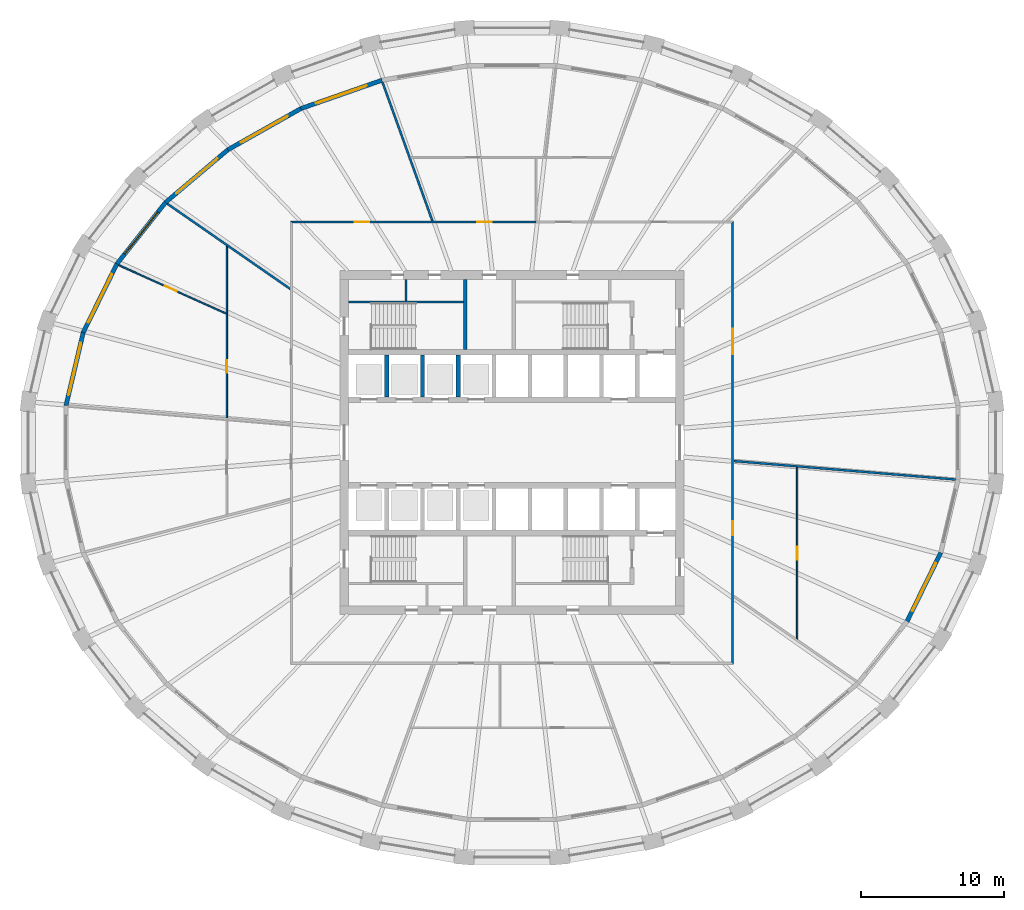
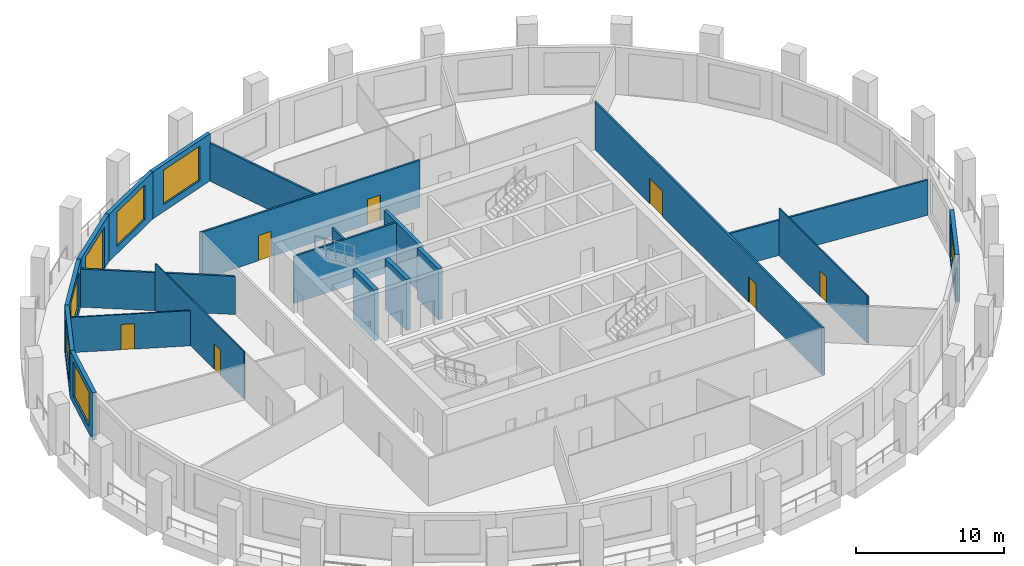
# One storey, part 5 of 10: 21 walls, 8 doors, 6 windows, 14 openings.
"""IFC4 building model written with IfcOpenShell, lengths in metres."""

import ifcopenshell
import ifcopenshell.guid

model = None  # the IFC model being written
_history = None  # IfcOwnerHistory: only IFC2X3 demands one
_inside = {}  # id of a spatial element -> (the spatial element, [elements in it])
_under = {}  # id of a project, library or spatial element -> (it, [spatial elements below it])
_declared = {}  # id of a project -> (the project, [libraries it declares])
_typed = {}  # id of a type object -> (the type object, [elements of that type])
_made_of = {}  # id of a material, layer set ... -> (it, [elements and type objects made of it])


def new_model(schema):
    """Start an empty IFC model of exactly this schema.

    Asked for "IFC4X3", IfcOpenShell would pick the latest addendum, in which some entities
    have other attributes; the version numbers below select the first issue.
    IFC2X3 requires an IfcOwnerHistory on every rooted entity: one is made here for all.
    """
    global model, _history
    if schema == "IFC4X3":
        model = ifcopenshell.file(schema_version=(4, 3, 0, 0))
    else:
        model = ifcopenshell.file(schema=schema)
    _inside.clear()
    _under.clear()
    _declared.clear()
    _typed.clear()
    _made_of.clear()
    _history = None
    if model.schema == "IFC2X3":
        org = make("IfcOrganization", Name="unknown")
        user = make(
            "IfcPersonAndOrganization",
            ThePerson=make("IfcPerson", FamilyName="unknown"),
            TheOrganization=org,
        )
        app = make(
            "IfcApplication",
            ApplicationDeveloper=org,
            Version="unknown",
            ApplicationFullName="unknown",
            ApplicationIdentifier="unknown",
        )
        _history = make(
            "IfcOwnerHistory",
            OwningUser=user,
            OwningApplication=app,
            ChangeAction="ADDED",
            CreationDate=0,
        )
    return model


def make(cls, **values):
    """One entity of the class cls with the attributes given. An attribute that is None is left unset."""
    return model.create_entity(
        cls, **{name: value for name, value in values.items() if value is not None}
    )


def rooted(cls, **values):
    """An entity with a GlobalId (a new one), such as an element, a storey or a relation."""
    return make(cls, GlobalId=ifcopenshell.guid.new(), OwnerHistory=_history, **values)


def si_unit(unit_type, name, prefix=None):
    """IfcSIUnit, for example si_unit("LENGTHUNIT", "METRE", prefix="MILLI")."""
    return make("IfcSIUnit", UnitType=unit_type, Prefix=prefix, Name=name)


def assignment(units):
    """IfcUnitAssignment: the units of a project."""
    return None if units is None else make("IfcUnitAssignment", Units=units)


def point(xyz):
    """IfcCartesianPoint."""
    return None if xyz is None else make("IfcCartesianPoint", Coordinates=xyz)


def direction(xyz):
    """IfcDirection."""
    return None if xyz is None else make("IfcDirection", DirectionRatios=xyz)


def frame(location, z_axis=None, x_axis=None):
    """IfcAxis2Placement3D, a coordinate frame: its origin and axes. An axis left out is left unset."""
    return make(
        "IfcAxis2Placement3D",
        Location=point(location),
        Axis=direction(z_axis),
        RefDirection=direction(x_axis),
    )


def frame_2d(location, x_axis=None):
    """IfcAxis2Placement2D, a coordinate frame in the plane: its origin and x axis."""
    return make(
        "IfcAxis2Placement2D", Location=point(location), RefDirection=direction(x_axis)
    )


def origin():
    """The frame at (0, 0, 0) with its axes left unset."""
    return frame((0.0, 0.0, 0.0))


def place(relative_to, where):
    """IfcLocalPlacement: puts the frame where relative to a parent placement (None: the world)."""
    return make(
        "IfcLocalPlacement", PlacementRelTo=relative_to, RelativePlacement=where
    )


def context(
    kind, dimensions, precision=None, world=None, true_north=None, identifier=None
):
    """IfcGeometricRepresentationContext, for example the 3D "Model" context."""
    return make(
        "IfcGeometricRepresentationContext",
        ContextIdentifier=identifier,
        ContextType=kind,
        CoordinateSpaceDimension=dimensions,
        Precision=precision,
        WorldCoordinateSystem=world,
        TrueNorth=true_north,
    )


def subcontext(parent, identifier, kind, view, scale=None):
    """IfcGeometricRepresentationSubContext, for example "Body" below "Model"."""
    return make(
        "IfcGeometricRepresentationSubContext",
        ContextIdentifier=identifier,
        ContextType=kind,
        ParentContext=parent,
        TargetScale=scale,
        TargetView=view,
    )


def project(units=None, contexts=None):
    """IfcProject with its units and contexts."""
    return rooted(
        "IfcProject",
        Name="project",
        RepresentationContexts=contexts,
        UnitsInContext=assignment(units),
    )


def spatial(cls, under=None, at=None, **own):
    """A site, building, storey or space (cls), placed at a placement, below another one or the project."""
    s = rooted(cls, ObjectPlacement=at, **own)
    if under is not None:
        _under.setdefault(under.id(), (under, []))[1].append(s)
    return s


def polyline(points):
    """IfcPolyline through the points."""
    return make("IfcPolyline", Points=[point(p) for p in points])


def profile(cls, at=None, kind="AREA", **sizes):
    """A parametric profile (cls). Its sizes go by their IFC names, for example OverallWidth=200.0."""
    return make(cls, ProfileType=kind, Position=at, **sizes)


def rectangle(**sizes):
    """IfcRectangleProfileDef."""
    return profile("IfcRectangleProfileDef", **sizes)


def outline(outer, holes=None, kind="AREA"):
    """IfcArbitraryClosedProfileDef: a profile drawn as a closed curve; with holes, ...WithVoids."""
    if holes is None:
        return make("IfcArbitraryClosedProfileDef", ProfileType=kind, OuterCurve=outer)
    return make(
        "IfcArbitraryProfileDefWithVoids",
        ProfileType=kind,
        OuterCurve=outer,
        InnerCurves=holes,
    )


def extrude(swept, where, along, depth):
    """IfcExtrudedAreaSolid: the profile swept, set in the frame where, extruded along a direction by depth."""
    return make(
        "IfcExtrudedAreaSolid",
        SweptArea=swept,
        Position=where,
        ExtrudedDirection=direction(along),
        Depth=depth,
    )


def shape(context_of_items, identifier, shape_type, items):
    """IfcShapeRepresentation: the items that make up one representation, for example the "Body"."""
    return make(
        "IfcShapeRepresentation",
        ContextOfItems=context_of_items,
        RepresentationIdentifier=identifier,
        RepresentationType=shape_type,
        Items=items,
    )


def material(Name=None, Category=None):
    """IfcMaterial."""
    return make("IfcMaterial", Name=Name, Category=Category)


def layer(
    of_material, thickness, ventilated=None, Name=None, Category=None, Priority=None
):
    """IfcMaterialLayer: one layer of a wall or slab, of a material (None: an air gap)."""
    return make(
        "IfcMaterialLayer",
        Material=of_material,
        LayerThickness=thickness,
        IsVentilated=ventilated,
        Name=Name,
        Category=Category,
        Priority=Priority,
    )


def layer_set(layers, Name=None):
    """IfcMaterialLayerSet."""
    return make("IfcMaterialLayerSet", MaterialLayers=layers, LayerSetName=Name)


def made_of(thing, what):
    """Note that an element or type object is made of a material, layer set ...; save() writes the relation."""
    if what is not None:
        _made_of.setdefault(what.id(), (what, []))[1].append(thing)
    return thing


def type_object(cls, material=None, **own):
    """A type object (cls), such as IfcWallType, which elements share."""
    return made_of(rooted(cls, **own), material)


def element(
    cls,
    number,
    at=None,
    inside=None,
    cuts=None,
    type_object=None,
    material=None,
    context=None,
    identifier="Body",
    shape_type=None,
    held_by="IfcProductDefinitionShape",
    body=None,
    shapes=None,
    **own,
):
    """One element of the class cls, such as IfcWall. Its Tag is "e" and its number.

    at: its placement. inside: the storey or other place that contains it. cuts: it is an
    opening in that element (IfcRelVoidsElement). A single representation is given by context,
    identifier, shape_type and body (its items); several are given by shapes. held_by: the class
    of the entity that holds the representations. save() writes the other relations.
    """
    e = rooted(cls, Tag="e%d" % number, ObjectPlacement=at, **own)
    if body is not None:
        shapes = [shape(context, identifier, shape_type, body)]
    if shapes is not None:
        e.Representation = make(held_by, Representations=shapes)
    if inside is not None:
        _inside.setdefault(inside.id(), (inside, []))[1].append(e)
    if cuts is not None:
        rooted(
            "IfcRelVoidsElement", RelatingBuildingElement=cuts, RelatedOpeningElement=e
        )
    if type_object is not None:
        _typed.setdefault(type_object.id(), (type_object, []))[1].append(e)
    return made_of(e, material)


def fill(opening, filler):
    """IfcRelFillsElement: the door or window that sits in an opening."""
    return rooted(
        "IfcRelFillsElement",
        RelatingOpeningElement=opening,
        RelatedBuildingElement=filler,
    )


def aggregate(whole, parts):
    """IfcRelAggregates: a whole, such as a stair, and the parts it consists of."""
    return rooted("IfcRelAggregates", RelatingObject=whole, RelatedObjects=parts)


def save(model, path):
    """Write the relations noted so far, then the file.

    IfcRelAggregates (storeys below a building ...), IfcRelContainedInSpatialStructure (elements
    in a storey), IfcRelDefinesByType, IfcRelAssociatesMaterial and IfcRelDeclares: one each for
    every whole, place, type object, material and project.
    """
    for whole, parts in _under.values():
        aggregate(whole, parts)
    for where, things in _inside.values():
        rooted(
            "IfcRelContainedInSpatialStructure",
            RelatedElements=things,
            RelatingStructure=where,
        )
    for kind, things in _typed.values():
        rooted("IfcRelDefinesByType", RelatedObjects=things, RelatingType=kind)
    for what, things in _made_of.values():
        rooted("IfcRelAssociatesMaterial", RelatedObjects=things, RelatingMaterial=what)
    for by, libraries in _declared.values():
        rooted("IfcRelDeclares", RelatingContext=by, RelatedDefinitions=libraries)
    model.write(path)


model = new_model("IFC4")

# Units and contexts
model_context = context("Model", 3, precision=1e-05, world=origin(), true_north=direction((0.0, 1.0)))
body_context = subcontext(model_context, "Body", "Model", "MODEL_VIEW")
ifc_project = project(units=[si_unit("LENGTHUNIT", "METRE"), si_unit("AREAUNIT", "SQUARE_METRE"), si_unit("VOLUMEUNIT", "CUBIC_METRE"), si_unit("PLANEANGLEUNIT", "RADIAN"), si_unit("MASSUNIT", "GRAM", prefix="KILO")], contexts=[model_context])

# Site, building, storey
site_placement = place(None, origin())
site = spatial("IfcSite", under=ifc_project, at=site_placement, CompositionType="ELEMENT")
building_placement = place(site_placement, origin())
building = spatial("IfcBuilding", under=site, at=building_placement, Name="Halqa Exchange Tower", CompositionType="ELEMENT")
storey_placement = place(building_placement, frame((0.0, 0.0, 159.10009765625)))
storey = spatial("IfcBuildingStorey", under=building, at=storey_placement, Name="L36", CompositionType="ELEMENT", Elevation=159.10009765625)

# Wall
ifc_material_1 = material(Name="Fire-rated gypsum board")
ifc_layer_1 = layer(ifc_material_1, 0.14990234375)
ifc_layer_set_1 = layer_set([ifc_layer_1], Name="Fire-rated gypsum board")
wall_type_1 = type_object("IfcWallType", Name="Fire partition EI 60 150", PredefinedType="PARTITIONING", material=ifc_layer_set_1)
wall_1_placement = place(storey_placement, frame((-24.059326171875, 16.673095703125, 0.0), z_axis=(0.0, 0.0, 1.0), x_axis=(0.821818585553, -0.569749254006, 0.0)))
element("IfcWall", 1, at=wall_1_placement, inside=storey, type_object=wall_type_1, Name="L36-PWL-003", PredefinedType="PARTITIONING", context=body_context, shape_type="SweptSolid", body=[
    extrude(outline(polyline([(0.0, -0.074951171875), (1.723876953125, -0.074951171875), (3.44775390625, -0.074951171875), (5.171630859375, -0.074951171875), (5.173095703125, -0.07373046875), (5.173828125, -0.074951171875), (6.9482421875, -0.074951171875), (8.72265625, -0.074951171875), (10.4970703125, -0.074951171875), (10.4970703125, -0.074462890625), (10.3935546875, 0.074951171875), (8.66552734375, 0.074951171875), (6.9375, 0.074951171875), (5.20947265625, 0.074951171875), (3.4814453125, 0.074951171875), (1.75341796875, 0.074951171875), (0.025146484375, 0.074951171875), (0.00439453125, -0.002197265625), (0.0, -0.071533203125), (0.0, -0.074951171875)])), origin(), (0.0, 0.0, 1.0), 3.14697265625),
])

# Wall, openings, doors
wall_2_placement = place(storey_placement, frame((-15.47509765625, 15.39990234375, 0.0), z_axis=(0.0, 0.0, 1.0), x_axis=(1.0, 0.0, 0.0)))
wall_2 = element("IfcWall", 2, at=wall_2_placement, inside=storey, type_object=wall_type_1, Name="L36-PWL-009", PredefinedType="PARTITIONING", context=body_context, shape_type="SweptSolid", body=[
    extrude(outline(polyline([(17.155029296875, 0.074951171875), (15.2490234375, 0.074951171875), (13.3427734375, 0.074951171875), (11.436767578125, 0.074951171875), (9.53076171875, 0.074951171875), (7.62451171875, 0.074951171875), (5.718505859375, 0.074951171875), (3.8125, 0.074951171875), (1.90625, 0.074951171875), (0.000244140625, 0.074951171875), (0.150146484375, -0.074951171875), (2.03955078125, -0.074951171875), (3.928955078125, -0.074951171875), (5.818359375, -0.074951171875), (7.707763671875, -0.074951171875), (9.597412109375, -0.074951171875), (11.48681640625, -0.074951171875), (13.376220703125, -0.074951171875), (15.265625, -0.074951171875), (17.155029296875, -0.074951171875), (17.155029296875, 0.074951171875)])), origin(), (0.0, 0.0, 1.0), 3.89990234375),
])
opening_1_placement = place(wall_2_placement, frame((13.050048828125, 0.0, 0.0)))
opening_1 = element("IfcOpeningElement", 3, at=opening_1_placement, cuts=wall_2, Name="Opening 11-02", PredefinedType="OPENING", context=body_context, shape_type="SweptSolid", body=[
    extrude(rectangle(XDim=1.0, YDim=2.10009765625, at=frame_2d((0.5, 1.050048828125))), frame((0.0, 0.0869140625, 0.0), z_axis=(0.0, -1.0, 0.0), x_axis=(1.0, 0.0, 0.0)), (0.0, 0.0, 1.0), 0.173828125),
])
opening_2_placement = place(wall_2_placement, frame((4.510009765625, 0.0, 0.0)))
opening_2 = element("IfcOpeningElement", 4, at=opening_2_placement, cuts=wall_2, Name="Opening 11-03", PredefinedType="OPENING", context=body_context, shape_type="SweptSolid", body=[
    extrude(rectangle(XDim=1.0, YDim=2.10009765625, at=frame_2d((0.5, 1.050048828125))), frame((0.0, 0.0869140625, 0.0), z_axis=(0.0, -1.0, 0.0), x_axis=(1.0, 0.0, 0.0)), (0.0, 0.0, 1.0), 0.173828125),
])
ifc_material_2 = material(Name="Steel fire door leaf", Category="steel")
door_type_1 = type_object("IfcDoorType", Name="Fire door FD30S 1000 x 2100", OperationType="SINGLE_SWING_LEFT", PredefinedType="DOOR", material=ifc_material_2)
door_1_placement = place(opening_1_placement, origin())
door_1 = element("IfcDoor", 5, at=door_1_placement, inside=storey, type_object=door_type_1, Name="L36-IDR-002", OperationType="SINGLE_SWING_LEFT", OverallHeight=2.10009765625, OverallWidth=1.0, PredefinedType="DOOR", context=body_context, shape_type="SweptSolid", body=[
    extrude(rectangle(XDim=1.0, YDim=2.10009765625, at=frame_2d((0.5, 1.050048828125))), frame((0.0, 0.02490234375, 0.0), z_axis=(0.0, -1.0, 0.0), x_axis=(1.0, 0.0, 0.0)), (0.0, 0.0, 1.0), 0.050048828125),
])
fill(opening_1, door_1)
door_2_placement = place(opening_2_placement, origin())
door_2 = element("IfcDoor", 6, at=door_2_placement, inside=storey, type_object=door_type_1, Name="L36-IDR-003", OperationType="SINGLE_SWING_LEFT", OverallHeight=2.10009765625, OverallWidth=1.0, PredefinedType="DOOR", context=body_context, shape_type="SweptSolid", body=[
    extrude(rectangle(XDim=1.0, YDim=2.10009765625, at=frame_2d((0.5, 1.050048828125))), frame((0.0, 0.02490234375, 0.0), z_axis=(0.0, -1.0, 0.0), x_axis=(1.0, 0.0, 0.0)), (0.0, 0.0, 1.0), 0.050048828125),
])
fill(opening_2, door_2)

# Wall
wall_3_placement = place(storey_placement, frame((-9.036865234375, 25.143310546875, 0.0), z_axis=(0.0, 0.0, 1.0), x_axis=(0.338668278724, -0.940905838533, 0.0)))
element("IfcWall", 7, at=wall_3_placement, inside=storey, type_object=wall_type_1, Name="L36-PWL-011", PredefinedType="PARTITIONING", context=body_context, shape_type="SweptSolid", body=[
    extrude(outline(polyline([(0.0, -0.074951171875), (1.7080078125, -0.074951171875), (3.416259765625, -0.074951171875), (5.124267578125, -0.074951171875), (6.832275390625, -0.074951171875), (8.54052734375, -0.074951171875), (10.24853515625, -0.074951171875), (10.30029296875, 0.068603515625), (10.30029296875, 0.068603515625), (10.30224609375, 0.07421875), (10.30224609375, 0.074951171875), (8.75244140625, 0.074951171875), (7.20263671875, 0.074951171875), (5.65283203125, 0.074951171875), (5.652587890625, 0.074462890625), (5.651123046875, 0.074951171875), (3.77197265625, 0.074951171875), (1.892822265625, 0.074951171875), (0.013671875, 0.074951171875), (0.00048828125, 0.0029296875), (0.0, -0.054443359375), (0.0, -0.074951171875)])), origin(), (0.0, 0.0, 1.0), 3.14697265625),
])

# Wall, openings, doors
wall_4_placement = place(storey_placement, frame((15.39990234375, -15.47509765625, 0.0), z_axis=(0.0, 0.0, 1.0), x_axis=(0.0, 1.0, 0.0)))
wall_4 = element("IfcWall", 8, at=wall_4_placement, inside=storey, type_object=wall_type_1, Name="L36-PWL-022", PredefinedType="PARTITIONING", context=body_context, shape_type="SweptSolid", body=[
    extrude(outline(polyline([(0.000244140625, -0.074951171875), (1.9345703125, -0.074951171875), (3.868896484375, -0.074951171875), (5.80322265625, -0.074951171875), (7.73779296875, -0.074951171875), (9.672119140625, -0.074951171875), (11.6064453125, -0.074951171875), (13.540771484375, -0.074951171875), (15.47509765625, -0.074951171875), (17.409423828125, -0.074951171875), (19.34375, -0.074951171875), (21.278076171875, -0.074951171875), (23.21240234375, -0.074951171875), (25.14697265625, -0.074951171875), (27.081298828125, -0.074951171875), (29.015625, -0.074951171875), (30.949951171875, -0.074951171875), (30.800048828125, 0.074951171875), (28.884521484375, 0.074951171875), (26.96875, 0.074951171875), (25.05322265625, 0.074951171875), (23.1376953125, 0.074951171875), (21.221923828125, 0.074951171875), (19.306396484375, 0.074951171875), (17.390625, 0.074951171875), (15.47509765625, 0.074951171875), (13.5595703125, 0.074951171875), (11.643798828125, 0.074951171875), (9.728271484375, 0.074951171875), (7.8125, 0.074951171875), (5.89697265625, 0.074951171875), (3.9814453125, 0.074951171875), (2.065673828125, 0.074951171875), (0.150146484375, 0.074951171875), (0.000244140625, -0.074951171875)])), origin(), (0.0, 0.0, 1.0), 3.89990234375),
])
opening_3_placement = place(wall_4_placement, frame((9.0, 0.0, 0.0)))
opening_3 = element("IfcOpeningElement", 9, at=opening_3_placement, cuts=wall_4, Name="Opening 11-10", PredefinedType="OPENING", context=body_context, shape_type="SweptSolid", body=[
    extrude(rectangle(XDim=1.0, YDim=2.10009765625, at=frame_2d((0.5, 1.050048828125))), frame((0.0, 0.0869140625, 0.0), z_axis=(0.0, -1.0, 0.0), x_axis=(1.0, 0.0, 0.0)), (0.0, 0.0, 1.0), 0.173828125),
])
opening_4_placement = place(wall_4_placement, frame((21.635009765625, 0.0, 0.0)))
opening_4 = element("IfcOpeningElement", 10, at=opening_4_placement, cuts=wall_4, Name="Opening 11-11", PredefinedType="OPENING", context=body_context, shape_type="SweptSolid", body=[
    extrude(rectangle(XDim=1.800048828125, YDim=2.10009765625, at=frame_2d((0.89990234375, 1.050048828125))), frame((0.0, 0.0869140625, 0.0), z_axis=(0.0, -1.0, 0.0), x_axis=(1.0, 0.0, 0.0)), (0.0, 0.0, 1.0), 0.173828125),
])
door_3_placement = place(opening_3_placement, frame((1.0, 0.0, 0.0), z_axis=(0.0, 0.0, 1.0), x_axis=(-1.0, 0.0, 0.0)))
door_3 = element("IfcDoor", 11, at=door_3_placement, inside=storey, type_object=door_type_1, Name="L36-IDR-010", OperationType="SINGLE_SWING_LEFT", OverallHeight=2.10009765625, OverallWidth=1.0, PredefinedType="DOOR", context=body_context, shape_type="SweptSolid", body=[
    extrude(rectangle(XDim=1.0, YDim=2.10009765625, at=frame_2d((0.5, 1.050048828125))), frame((0.0, 0.02490234375, 0.0), z_axis=(0.0, -1.0, 0.0), x_axis=(1.0, 0.0, 0.0)), (0.0, 0.0, 1.0), 0.050048828125),
])
fill(opening_3, door_3)
door_type_2 = type_object("IfcDoorType", Name="Fire door FD30S double 1800 x 2100", OperationType="DOUBLE_DOOR_SINGLE_SWING", PredefinedType="DOOR", material=ifc_material_2)
door_4_placement = place(opening_4_placement, frame((1.800048828125, 0.0, 0.0), z_axis=(0.0, 0.0, 1.0), x_axis=(-1.0, 0.0, 0.0)))
door_4 = element("IfcDoor", 12, at=door_4_placement, inside=storey, type_object=door_type_2, Name="L36-IDR-011", OperationType="DOUBLE_DOOR_SINGLE_SWING", OverallHeight=2.10009765625, OverallWidth=1.800048828125, PredefinedType="DOOR", context=body_context, shape_type="SweptSolid", body=[
    extrude(rectangle(XDim=1.800048828125, YDim=2.10009765625, at=frame_2d((0.89990234375, 1.050048828125))), frame((0.0, 0.02490234375, 0.0), z_axis=(0.0, -1.0, 0.0), x_axis=(1.0, 0.0, 0.0)), (0.0, 0.0, 1.0), 0.050048828125),
])
fill(opening_4, door_4)

# Wall
wall_5_placement = place(storey_placement, frame((15.46923828125, -1.285888671875, 0.0), z_axis=(0.0, 0.0, 1.0), x_axis=(0.996560145348, -0.082872653534, 0.0)))
element("IfcWall", 13, at=wall_5_placement, inside=storey, type_object=wall_type_1, Name="L36-PWL-024", PredefinedType="PARTITIONING", context=body_context, shape_type="SweptSolid", body=[
    extrude(outline(polyline([(0.011962890625, -0.074951171875), (1.50390625, -0.074951171875), (2.995849609375, -0.074951171875), (4.48779296875, -0.074951171875), (4.50244140625, -0.07373046875), (4.50244140625, -0.074951171875), (6.3427734375, -0.074951171875), (8.18310546875, -0.074951171875), (10.0234375, -0.074951171875), (11.86376953125, -0.074951171875), (13.7041015625, -0.074951171875), (15.54443359375, -0.074951171875), (15.548828125, -0.045166015625), (15.548828125, 0.074951171875), (13.605224609375, 0.074951171875), (11.66162109375, 0.074951171875), (9.718017578125, 0.074951171875), (7.7744140625, 0.074951171875), (5.830810546875, 0.074951171875), (3.88720703125, 0.074951171875), (1.943603515625, 0.074951171875), (0.0, 0.074951171875), (0.0, 0.069580078125), (0.011962890625, -0.074951171875)])), origin(), (0.0, 0.0, 1.0), 2.909912109375),
])

# Wall, opening, door
ifc_material_3 = material(Name="Gypsum board")
ifc_layer_2 = layer(ifc_material_3, 0.10009765625)
ifc_layer_set_2 = layer_set([ifc_layer_2], Name="Gypsum board")
wall_type_2 = type_object("IfcWallType", Name="Partition 100 gypsum", PredefinedType="PARTITIONING", material=ifc_layer_set_2)
wall_6_placement = place(storey_placement, frame((-19.89990234375, 1.7255859375, 0.0), z_axis=(0.0, 0.0, 1.0), x_axis=(0.0, 1.0, 0.0)))
wall_6 = element("IfcWall", 14, at=wall_6_placement, inside=storey, type_object=wall_type_2, Name="L36-PWL-005", PredefinedType="PARTITIONING", context=body_context, shape_type="SweptSolid", body=[
    extrude(outline(polyline([(0.0, -0.050048828125), (1.98974609375, -0.050048828125), (3.979248046875, -0.050048828125), (5.968994140625, -0.050048828125), (7.958740234375, -0.050048828125), (9.948486328125, -0.050048828125), (11.93798828125, -0.050048828125), (12.0068359375, 0.04931640625), (12.0068359375, 0.050048828125), (10.448486328125, 0.050048828125), (8.89013671875, 0.050048828125), (7.331787109375, 0.050048828125), (7.330810546875, 0.0478515625), (7.325927734375, 0.050048828125), (5.49658203125, 0.050048828125), (3.6669921875, 0.050048828125), (1.837646484375, 0.050048828125), (0.008056640625, 0.050048828125), (0.0, -0.046875), (0.0, -0.050048828125)])), origin(), (0.0, 0.0, 1.0), 3.89990234375),
])
opening_5_placement = place(wall_6_placement, frame((3.139404296875, 0.0, 0.0)))
opening_5 = element("IfcOpeningElement", 15, at=opening_5_placement, cuts=wall_6, Name="Opening 11-15", PredefinedType="OPENING", context=body_context, shape_type="SweptSolid", body=[
    extrude(rectangle(XDim=0.89990234375, YDim=2.10009765625, at=frame_2d((0.449951171875, 1.050048828125))), frame((0.0, 0.06201171875, 0.0), z_axis=(0.0, -1.0, 0.0), x_axis=(1.0, 0.0, 0.0)), (0.0, 0.0, 1.0), 0.1240234375),
])
ifc_material_4 = material(Name="Timber door leaf", Category="wood")
door_type_3 = type_object("IfcDoorType", Name="Door 900 x 2100", OperationType="SINGLE_SWING_LEFT", PredefinedType="DOOR", material=ifc_material_4)
door_5_placement = place(opening_5_placement, frame((0.89990234375, 0.0, 0.0), z_axis=(0.0, 0.0, 1.0), x_axis=(-1.0, 0.0, 0.0)))
door_5 = element("IfcDoor", 16, at=door_5_placement, inside=storey, type_object=door_type_3, Name="L36-IDR-015", OperationType="SINGLE_SWING_LEFT", OverallHeight=2.10009765625, OverallWidth=0.89990234375, PredefinedType="DOOR", context=body_context, shape_type="SweptSolid", body=[
    extrude(rectangle(XDim=0.89990234375, YDim=2.10009765625, at=frame_2d((0.449951171875, 1.050048828125))), frame((0.0, 0.02490234375, 0.0), z_axis=(0.0, -1.0, 0.0), x_axis=(1.0, 0.0, 0.0)), (0.0, 0.0, 1.0), 0.050048828125),
])
fill(opening_5, door_5)

wall_7_placement = place(storey_placement, frame((-19.9296875, 8.993408203125, 0.0), z_axis=(0.0, 0.0, 1.0), x_axis=(-0.911442933079, 0.411426518033, 0.0)))
wall_7 = element("IfcWall", 17, at=wall_7_placement, inside=storey, type_object=wall_type_2, Name="L36-PWL-006", PredefinedType="PARTITIONING", context=body_context, shape_type="SweptSolid", body=[
    extrude(outline(polyline([(0.044921875, -0.050048828125), (1.682861328125, -0.050048828125), (3.320556640625, -0.050048828125), (4.95849609375, -0.050048828125), (6.596435546875, -0.050048828125), (8.234130859375, -0.050048828125), (8.246826171875, 0.00048828125), (8.248291015625, 0.045654296875), (8.248291015625, 0.050048828125), (6.5986328125, 0.050048828125), (4.948974609375, 0.050048828125), (3.29931640625, 0.050048828125), (1.649658203125, 0.050048828125), (0.0, 0.050048828125), (0.0, 0.04931640625), (0.044921875, -0.050048828125)])), origin(), (0.0, 0.0, 1.0), 2.909912109375),
])
opening_6_placement = place(wall_7_placement, frame((3.807373046875, 0.0, 0.0)))
opening_6 = element("IfcOpeningElement", 18, at=opening_6_placement, cuts=wall_7, Name="Opening 11-16", PredefinedType="OPENING", context=body_context, shape_type="SweptSolid", body=[
    extrude(rectangle(XDim=0.89990234375, YDim=2.10009765625, at=frame_2d((0.449951171875, 1.050048828125))), frame((0.0, 0.06201171875, 0.0), z_axis=(0.0, -1.0, 0.0), x_axis=(1.0, 0.0, 0.0)), (0.0, 0.0, 1.0), 0.1240234375),
])
door_6_placement = place(opening_6_placement, frame((0.89990234375, 0.0, 0.0), z_axis=(0.0, 0.0, 1.0), x_axis=(-1.0, 0.0, 0.0)))
door_6 = element("IfcDoor", 19, at=door_6_placement, inside=storey, type_object=door_type_3, Name="L36-IDR-016", OperationType="SINGLE_SWING_RIGHT", OverallHeight=2.10009765625, OverallWidth=0.89990234375, PredefinedType="DOOR", context=body_context, shape_type="SweptSolid", body=[
    extrude(rectangle(XDim=0.89990234375, YDim=2.10009765625, at=frame_2d((0.449951171875, 1.050048828125))), frame((0.0, 0.02490234375, 0.0), z_axis=(0.0, -1.0, 0.0), x_axis=(1.0, 0.0, 0.0)), (0.0, 0.0, 1.0), 0.050048828125),
])
fill(opening_6, door_6)

wall_8_placement = place(storey_placement, frame((19.89990234375, -1.7255859375, 0.0), z_axis=(0.0, 0.0, 1.0), x_axis=(0.0, -1.0, 0.0)))
wall_8 = element("IfcWall", 20, at=wall_8_placement, inside=storey, type_object=wall_type_2, Name="L36-PWL-025", PredefinedType="PARTITIONING", context=body_context, shape_type="SweptSolid", body=[
    extrude(outline(polyline([(0.0, -0.050048828125), (1.98974609375, -0.050048828125), (3.979248046875, -0.050048828125), (5.968994140625, -0.050048828125), (7.958740234375, -0.050048828125), (9.948486328125, -0.050048828125), (11.93798828125, -0.050048828125), (12.0068359375, 0.04931640625), (12.0068359375, 0.050048828125), (10.007080078125, 0.050048828125), (8.00732421875, 0.050048828125), (6.00732421875, 0.050048828125), (4.007568359375, 0.050048828125), (2.0078125, 0.050048828125), (0.008056640625, 0.050048828125), (0.0, -0.046875), (0.0, -0.050048828125)])), origin(), (0.0, 0.0, 1.0), 3.89990234375),
])
opening_7_placement = place(wall_8_placement, frame((5.54443359375, 0.0, 0.0)))
opening_7 = element("IfcOpeningElement", 21, at=opening_7_placement, cuts=wall_8, Name="Opening 11-19", PredefinedType="OPENING", context=body_context, shape_type="SweptSolid", body=[
    extrude(rectangle(XDim=0.89990234375, YDim=2.10009765625, at=frame_2d((0.449951171875, 1.050048828125))), frame((0.0, 0.06201171875, 0.0), z_axis=(0.0, -1.0, 0.0), x_axis=(1.0, 0.0, 0.0)), (0.0, 0.0, 1.0), 0.1240234375),
])
door_7_placement = place(opening_7_placement, frame((0.89990234375, 0.0, 0.0), z_axis=(0.0, 0.0, 1.0), x_axis=(-1.0, 0.0, 0.0)))
door_7 = element("IfcDoor", 22, at=door_7_placement, inside=storey, type_object=door_type_3, Name="L36-IDR-019", OperationType="SINGLE_SWING_LEFT", OverallHeight=2.10009765625, OverallWidth=0.89990234375, PredefinedType="DOOR", context=body_context, shape_type="SweptSolid", body=[
    extrude(rectangle(XDim=0.89990234375, YDim=2.10009765625, at=frame_2d((0.449951171875, 1.050048828125))), frame((0.0, 0.02490234375, 0.0), z_axis=(0.0, -1.0, 0.0), x_axis=(1.0, 0.0, 0.0)), (0.0, 0.0, 1.0), 0.050048828125),
])
fill(opening_7, door_7)

# Walls
ifc_layer_3 = layer(ifc_material_3, 0.14990234375)
ifc_layer_set_3 = layer_set([ifc_layer_3], Name="Gypsum board")
wall_type_3 = type_object("IfcWallType", Name="Penthouse riser wall 150 gypsum", PredefinedType="PARTITIONING", material=ifc_layer_set_3)
wall_9_placement = place(storey_placement, frame((-7.39990234375, 9.89990234375, 0.0), z_axis=(0.0, 0.0, 1.0), x_axis=(0.0, 1.0, 0.0)))
element("IfcWall", 23, at=wall_9_placement, inside=storey, type_object=wall_type_3, Name="Partition W7.400 N", PredefinedType="PARTITIONING", context=body_context, shape_type="SweptSolid", body=[
    extrude(rectangle(XDim=1.5, YDim=0.14990234375, at=frame_2d((0.75, 0.0))), origin(), (0.0, 0.0, 1.0), 3.89990234375),
])
ifc_material_5 = material(Name="Concrete C60/75", Category="concrete")
ifc_layer_4 = layer(ifc_material_5, 0.300048828125)
ifc_layer_set_4 = layer_set([ifc_layer_4], Name="Concrete C60/75")
wall_type_4 = type_object("IfcWallType", Name="RC core wall 300", PredefinedType="SHEAR", material=ifc_layer_set_4)
for number, where, z_axis, x_axis, name in (
    (24, (-8.75, 3.199951171875, 0.0), (0.0, 0.0, 1.0), (0.0, 1.0, 0.0), "Shaft divider N1"),
    (25, (-6.25, 3.199951171875, 0.0), (0.0, 0.0, 1.0), (0.0, 1.0, 0.0), "Shaft divider N2"),
    (26, (-3.75, 3.199951171875, 0.0), (0.0, 0.0, 1.0), (0.0, 1.0, 0.0), "Shaft divider N3"),
):
    element("IfcWall", number, at=place(storey_placement, frame(where, z_axis=z_axis, x_axis=x_axis)), inside=storey, type_object=wall_type_4, Name=name, PredefinedType="SHEAR", context=body_context, shape_type="SweptSolid", body=[
        extrude(rectangle(XDim=2.900146484375, YDim=0.300048828125, at=frame_2d((1.4501953125, 0.0))), origin(), (0.0, 0.0, 1.0), 4.199951171875),
    ])
ifc_material_6 = material(Name="Concrete C30/37", Category="concrete")
ifc_layer_5 = layer(ifc_material_6, 0.14990234375)
ifc_layer_set_5 = layer_set([ifc_layer_5], Name="Concrete C30/37")
wall_type_5 = type_object("IfcWallType", Name="RC stair wall 150 C30/37", PredefinedType="SHEAR", material=ifc_layer_set_5)
wall_10_placement = place(storey_placement, frame((-11.39990234375, 9.824951171875, 0.0), z_axis=(0.0, 0.0, 1.0), x_axis=(1.0, 0.0, 0.0)))
element("IfcWall", 27, at=wall_10_placement, inside=storey, type_object=wall_type_5, Name="Stair ST1 north wall N", PredefinedType="SHEAR", context=body_context, shape_type="SweptSolid", body=[
    extrude(rectangle(XDim=8.0, YDim=0.14990234375, at=frame_2d((4.0, 0.0))), origin(), (0.0, 0.0, 1.0), 3.89990234375),
])
ifc_layer_6 = layer(ifc_material_6, 0.25)
ifc_layer_set_6 = layer_set([ifc_layer_6], Name="Concrete C30/37")
wall_type_6 = type_object("IfcWallType", Name="RC stair wall 250 C30/37", PredefinedType="SHEAR", material=ifc_layer_set_6)
wall_11_placement = place(storey_placement, frame((-3.27490234375, 6.5, 0.0), z_axis=(0.0, 0.0, 1.0), x_axis=(0.0, 1.0, 0.0)))
element("IfcWall", 28, at=wall_11_placement, inside=storey, type_object=wall_type_6, Name="Stair ST1 east wall N", PredefinedType="SHEAR", context=body_context, shape_type="SweptSolid", body=[
    extrude(rectangle(XDim=4.89990234375, YDim=0.25, at=frame_2d((2.449951171875, 0.0))), origin(), (0.0, 0.0, 1.0), 3.89990234375),
])

# Wall, opening, window
ifc_material_7 = material(Name="Limestone cladding", Category="masonry")
ifc_layer_7 = layer(ifc_material_7, 0.0400390625)
ifc_material_8 = material(Name="Ventilated cavity")
ifc_layer_8 = layer(ifc_material_8, 0.030029296875, ventilated=True)
ifc_material_9 = material(Name="Mineral wool insulation")
ifc_layer_9 = layer(ifc_material_9, 0.10009765625)
ifc_layer_10 = layer(ifc_material_6, 0.10009765625)
ifc_material_10 = material(Name="Internal plaster")
ifc_layer_11 = layer(ifc_material_10, 0.030029296875)
ifc_layer_set_7 = layer_set([ifc_layer_7, ifc_layer_8, ifc_layer_9, ifc_layer_10, ifc_layer_11], Name="Stone-faced insulated wall 300")
wall_type_7 = type_object("IfcWallType", Name="Stone-faced insulated wall 300", PredefinedType="STANDARD", material=ifc_layer_set_7)
wall_12_placement = place(storey_placement, frame((-9.0712890625, 25.28955078125, 0.0), z_axis=(0.0, 0.0, 1.0), x_axis=(-0.943944636678, -0.330103806228, 0.0)))
wall_12 = element("IfcWall", 29, at=wall_12_placement, inside=storey, type_object=wall_type_7, Name="Glass-line wall 10", PredefinedType="STANDARD", context=body_context, shape_type="SweptSolid", body=[
    extrude(outline(polyline([(-0.0126953125, -0.14990234375), (6.0107421875, -0.14990234375), (5.98388671875, 0.14990234375), (0.0126953125, 0.14990234375), (-0.0126953125, -0.14990234375)])), origin(), (0.0, 0.0, 1.0), 3.89990234375),
])
opening_8_placement = place(wall_12_placement, frame((1.12353515625, 0.0, 0.60009765625)))
opening_8 = element("IfcOpeningElement", 30, at=opening_8_placement, cuts=wall_12, Name="Opening W-F2-10", PredefinedType="OPENING", context=body_context, shape_type="SweptSolid", body=[
    extrude(rectangle(XDim=3.75, YDim=2.85009765625, at=frame_2d((1.875, 1.425048828125))), frame((0.0, 0.162109375, 0.0), z_axis=(0.0, -1.0, 0.0), x_axis=(1.0, 0.0, 0.0)), (0.0, 0.0, 1.0), 0.323974609375),
])
ifc_material_11 = material(Name="Clear low-emissivity glass in aluminium frame", Category="aluminium")
window_type = type_object("IfcWindowType", Name="Fixed clear glazed window 3750 x 2850", PartitioningType="TRIPLE_PANEL_VERTICAL", PredefinedType="WINDOW", material=ifc_material_11)
window_1_placement = place(opening_8_placement, origin())
window_1 = element("IfcWindow", 31, at=window_1_placement, inside=storey, type_object=window_type, Name="Window 2", OverallHeight=2.85009765625, OverallWidth=3.75, PartitioningType="TRIPLE_PANEL_VERTICAL", PredefinedType="WINDOW", context=body_context, shape_type="SweptSolid", body=[
    extrude(rectangle(XDim=3.75, YDim=2.85009765625, at=frame_2d((1.875, 1.425048828125))), frame((0.0, 0.030029296875, 0.0), z_axis=(0.0, -1.0, 0.0), x_axis=(1.0, 0.0, 0.0)), (0.0, 0.0, 1.0), 0.06005859375),
])
fill(opening_8, window_1)

wall_13_placement = place(storey_placement, frame((-14.732421875, 23.309814453125, 0.0), z_axis=(0.0, 0.0, 1.0), x_axis=(-0.870982130072, -0.491314694565, 0.0)))
wall_13 = element("IfcWall", 32, at=wall_13_placement, inside=storey, type_object=wall_type_7, Name="Glass-line wall 11", PredefinedType="STANDARD", context=body_context, shape_type="SweptSolid", body=[
    extrude(outline(polyline([(-0.013427734375, -0.14990234375), (5.86572265625, -0.14990234375), (5.83740234375, 0.14990234375), (0.013427734375, 0.14990234375), (-0.013427734375, -0.14990234375)])), origin(), (0.0, 0.0, 1.0), 3.89990234375),
])
opening_9_placement = place(wall_13_placement, frame((1.05078125, 0.0, 0.60009765625)))
opening_9 = element("IfcOpeningElement", 33, at=opening_9_placement, cuts=wall_13, Name="Opening W-F2-11", PredefinedType="OPENING", context=body_context, shape_type="SweptSolid", body=[
    extrude(rectangle(XDim=3.75, YDim=2.85009765625, at=frame_2d((1.875, 1.425048828125))), frame((0.0, 0.162109375, 0.0), z_axis=(0.0, -1.0, 0.0), x_axis=(1.0, 0.0, 0.0)), (0.0, 0.0, 1.0), 0.323974609375),
])
window_2_placement = place(opening_9_placement, origin())
window_2 = element("IfcWindow", 34, at=window_2_placement, inside=storey, type_object=window_type, Name="Window 2", OverallHeight=2.85009765625, OverallWidth=3.75, PartitioningType="TRIPLE_PANEL_VERTICAL", PredefinedType="WINDOW", context=body_context, shape_type="SweptSolid", body=[
    extrude(rectangle(XDim=3.75, YDim=2.85009765625, at=frame_2d((1.875, 1.425048828125))), frame((0.0, 0.030029296875, 0.0), z_axis=(0.0, -1.0, 0.0), x_axis=(1.0, 0.0, 0.0)), (0.0, 0.0, 1.0), 0.06005859375),
])
fill(opening_9, window_2)

# Wall, opening, door
wall_14_placement = place(storey_placement, frame((-19.8291015625, 20.434814453125, 0.0), z_axis=(0.0, 0.0, 1.0), x_axis=(-0.764076096085, -0.645126126732, 0.0)))
wall_14 = element("IfcWall", 35, at=wall_14_placement, inside=storey, type_object=wall_type_7, Name="Glass-line wall 12", PredefinedType="STANDARD", context=body_context, shape_type="SweptSolid", body=[
    extrude(outline(polyline([(-0.01416015625, -0.14990234375), (5.690185546875, -0.14990234375), (5.659912109375, 0.14990234375), (0.01416015625, 0.14990234375), (-0.01416015625, -0.14990234375)])), origin(), (0.0, 0.0, 1.0), 3.89990234375),
])
opening_10_placement = place(wall_14_placement, frame((0.96240234375, 0.0, 0.0)))
opening_10 = element("IfcOpeningElement", 36, at=opening_10_placement, cuts=wall_14, Name="Opening LG-F2-03", PredefinedType="OPENING", context=body_context, shape_type="SweptSolid", body=[
    extrude(rectangle(XDim=3.75, YDim=3.449951171875, at=frame_2d((1.875, 1.72509765625))), frame((0.0, 0.162109375, 0.0), z_axis=(0.0, -1.0, 0.0), x_axis=(1.0, 0.0, 0.0)), (0.0, 0.0, 1.0), 0.323974609375),
])
door_type_4 = type_object("IfcDoorType", Name="Glazed sliding loggia door 3750 x 3450", OperationType="DOUBLE_DOOR_SLIDING", PredefinedType="DOOR", material=ifc_material_11)
door_8_placement = place(opening_10_placement, origin())
door_8 = element("IfcDoor", 37, at=door_8_placement, inside=storey, type_object=door_type_4, Name="Loggia door 3", OperationType="DOUBLE_DOOR_SLIDING", OverallHeight=3.449951171875, OverallWidth=3.75, PredefinedType="DOOR", context=body_context, shape_type="SweptSolid", body=[
    extrude(rectangle(XDim=3.75, YDim=3.449951171875, at=frame_2d((1.875, 1.72509765625))), frame((0.0, 0.02490234375, 0.0), z_axis=(0.0, -1.0, 0.0), x_axis=(1.0, 0.0, 0.0)), (0.0, 0.0, 1.0), 0.050048828125),
])
fill(opening_10, door_8)

# Wall, opening, window
wall_15_placement = place(storey_placement, frame((-24.165283203125, 16.773681640625, 0.0), z_axis=(0.0, 0.0, 1.0), x_axis=(-0.620577705153, -0.784144955902, 0.0)))
wall_15 = element("IfcWall", 38, at=wall_15_placement, inside=storey, type_object=wall_type_7, Name="Glass-line wall 13", PredefinedType="STANDARD", context=body_context, shape_type="SweptSolid", body=[
    extrude(outline(polyline([(-0.01513671875, -0.14990234375), (5.5087890625, -0.14990234375), (5.4765625, 0.14990234375), (0.01513671875, 0.14990234375), (-0.01513671875, -0.14990234375)])), origin(), (0.0, 0.0, 1.0), 3.89990234375),
])
opening_11_placement = place(wall_15_placement, frame((0.871337890625, 0.0, 0.60009765625)))
opening_11 = element("IfcOpeningElement", 39, at=opening_11_placement, cuts=wall_15, Name="Opening W-F2-13", PredefinedType="OPENING", context=body_context, shape_type="SweptSolid", body=[
    extrude(rectangle(XDim=3.75, YDim=2.85009765625, at=frame_2d((1.875, 1.425048828125))), frame((0.0, 0.162109375, 0.0), z_axis=(0.0, -1.0, 0.0), x_axis=(1.0, 0.0, 0.0)), (0.0, 0.0, 1.0), 0.323974609375),
])
window_3_placement = place(opening_11_placement, origin())
window_3 = element("IfcWindow", 40, at=window_3_placement, inside=storey, type_object=window_type, Name="Window 2", OverallHeight=2.85009765625, OverallWidth=3.75, PartitioningType="TRIPLE_PANEL_VERTICAL", PredefinedType="WINDOW", context=body_context, shape_type="SweptSolid", body=[
    extrude(rectangle(XDim=3.75, YDim=2.85009765625, at=frame_2d((1.875, 1.425048828125))), frame((0.0, 0.030029296875, 0.0), z_axis=(0.0, -1.0, 0.0), x_axis=(1.0, 0.0, 0.0)), (0.0, 0.0, 1.0), 0.06005859375),
])
fill(opening_11, window_3)

wall_16_placement = place(storey_placement, frame((-27.573974609375, 12.466552734375, 0.0), z_axis=(0.0, 0.0, 1.0), x_axis=(-0.440444485575, -0.897779847806, 0.0)))
wall_16 = element("IfcWall", 41, at=wall_16_placement, inside=storey, type_object=wall_type_7, Name="Glass-line wall 14", PredefinedType="STANDARD", context=body_context, shape_type="SweptSolid", body=[
    extrude(outline(polyline([(-0.01611328125, -0.14990234375), (5.350341796875, -0.14990234375), (5.316650390625, 0.14990234375), (0.01611328125, 0.14990234375), (-0.01611328125, -0.14990234375)])), origin(), (0.0, 0.0, 1.0), 3.89990234375),
])
opening_12_placement = place(wall_16_placement, frame((0.791748046875, 0.0, 0.60009765625)))
opening_12 = element("IfcOpeningElement", 42, at=opening_12_placement, cuts=wall_16, Name="Opening W-F2-14", PredefinedType="OPENING", context=body_context, shape_type="SweptSolid", body=[
    extrude(rectangle(XDim=3.75, YDim=2.85009765625, at=frame_2d((1.875, 1.425048828125))), frame((0.0, 0.162109375, 0.0), z_axis=(0.0, -1.0, 0.0), x_axis=(1.0, 0.0, 0.0)), (0.0, 0.0, 1.0), 0.323974609375),
])
window_4_placement = place(opening_12_placement, origin())
window_4 = element("IfcWindow", 43, at=window_4_placement, inside=storey, type_object=window_type, Name="Window 2", OverallHeight=2.85009765625, OverallWidth=3.75, PartitioningType="TRIPLE_PANEL_VERTICAL", PredefinedType="WINDOW", context=body_context, shape_type="SweptSolid", body=[
    extrude(rectangle(XDim=3.75, YDim=2.85009765625, at=frame_2d((1.875, 1.425048828125))), frame((0.0, 0.030029296875, 0.0), z_axis=(0.0, -1.0, 0.0), x_axis=(1.0, 0.0, 0.0)), (0.0, 0.0, 1.0), 0.06005859375),
])
fill(opening_12, window_4)

wall_17_placement = place(storey_placement, frame((-29.923095703125, 7.67822265625, 0.0), z_axis=(0.0, 0.0, 1.0), x_axis=(-0.229297175564, -0.973356463624, 0.0)))
wall_17 = element("IfcWall", 44, at=wall_17_placement, inside=storey, type_object=wall_type_7, Name="Glass-line wall 15", PredefinedType="STANDARD", context=body_context, shape_type="SweptSolid", body=[
    extrude(outline(polyline([(-0.016845703125, -0.14990234375), (5.241943359375, -0.14990234375), (5.207275390625, 0.14990234375), (0.016845703125, 0.14990234375), (-0.016845703125, -0.14990234375)])), origin(), (0.0, 0.0, 1.0), 3.89990234375),
])
opening_13_placement = place(wall_17_placement, frame((0.7373046875, 0.0, 0.60009765625)))
opening_13 = element("IfcOpeningElement", 45, at=opening_13_placement, cuts=wall_17, Name="Opening W-F2-15", PredefinedType="OPENING", context=body_context, shape_type="SweptSolid", body=[
    extrude(rectangle(XDim=3.75, YDim=2.85009765625, at=frame_2d((1.875, 1.425048828125))), frame((0.0, 0.162109375, 0.0), z_axis=(0.0, -1.0, 0.0), x_axis=(1.0, 0.0, 0.0)), (0.0, 0.0, 1.0), 0.323974609375),
])
window_5_placement = place(opening_13_placement, origin())
window_5 = element("IfcWindow", 46, at=window_5_placement, inside=storey, type_object=window_type, Name="Window 2", OverallHeight=2.85009765625, OverallWidth=3.75, PartitioningType="TRIPLE_PANEL_VERTICAL", PredefinedType="WINDOW", context=body_context, shape_type="SweptSolid", body=[
    extrude(rectangle(XDim=3.75, YDim=2.85009765625, at=frame_2d((1.875, 1.425048828125))), frame((0.0, 0.030029296875, 0.0), z_axis=(0.0, -1.0, 0.0), x_axis=(1.0, 0.0, 0.0)), (0.0, 0.0, 1.0), 0.06005859375),
])
fill(opening_13, window_5)

wall_18_placement = place(storey_placement, frame((27.573974609375, -12.466552734375, 0.0), z_axis=(0.0, 0.0, 1.0), x_axis=(0.440444485575, 0.897779847806, 0.0)))
wall_18 = element("IfcWall", 47, at=wall_18_placement, inside=storey, type_object=wall_type_7, Name="Glass-line wall 30", PredefinedType="STANDARD", context=body_context, shape_type="SweptSolid", body=[
    extrude(outline(polyline([(-0.01611328125, -0.14990234375), (5.350341796875, -0.14990234375), (5.316650390625, 0.14990234375), (0.01611328125, 0.14990234375), (-0.01611328125, -0.14990234375)])), origin(), (0.0, 0.0, 1.0), 3.89990234375),
])
opening_14_placement = place(wall_18_placement, frame((0.791748046875, 0.0, 0.60009765625)))
opening_14 = element("IfcOpeningElement", 48, at=opening_14_placement, cuts=wall_18, Name="Opening W-F2-30", PredefinedType="OPENING", context=body_context, shape_type="SweptSolid", body=[
    extrude(rectangle(XDim=3.75, YDim=2.85009765625, at=frame_2d((1.875, 1.425048828125))), frame((0.0, 0.162109375, 0.0), z_axis=(0.0, -1.0, 0.0), x_axis=(1.0, 0.0, 0.0)), (0.0, 0.0, 1.0), 0.323974609375),
])
window_6_placement = place(opening_14_placement, origin())
window_6 = element("IfcWindow", 49, at=window_6_placement, inside=storey, type_object=window_type, Name="Window 2", OverallHeight=2.85009765625, OverallWidth=3.75, PartitioningType="TRIPLE_PANEL_VERTICAL", PredefinedType="WINDOW", context=body_context, shape_type="SweptSolid", body=[
    extrude(rectangle(XDim=3.75, YDim=2.85009765625, at=frame_2d((1.875, 1.425048828125))), frame((0.0, 0.030029296875, 0.0), z_axis=(0.0, -1.0, 0.0), x_axis=(1.0, 0.0, 0.0)), (0.0, 0.0, 1.0), 0.06005859375),
])
fill(opening_14, window_6)

save(model, "model.ifc")
